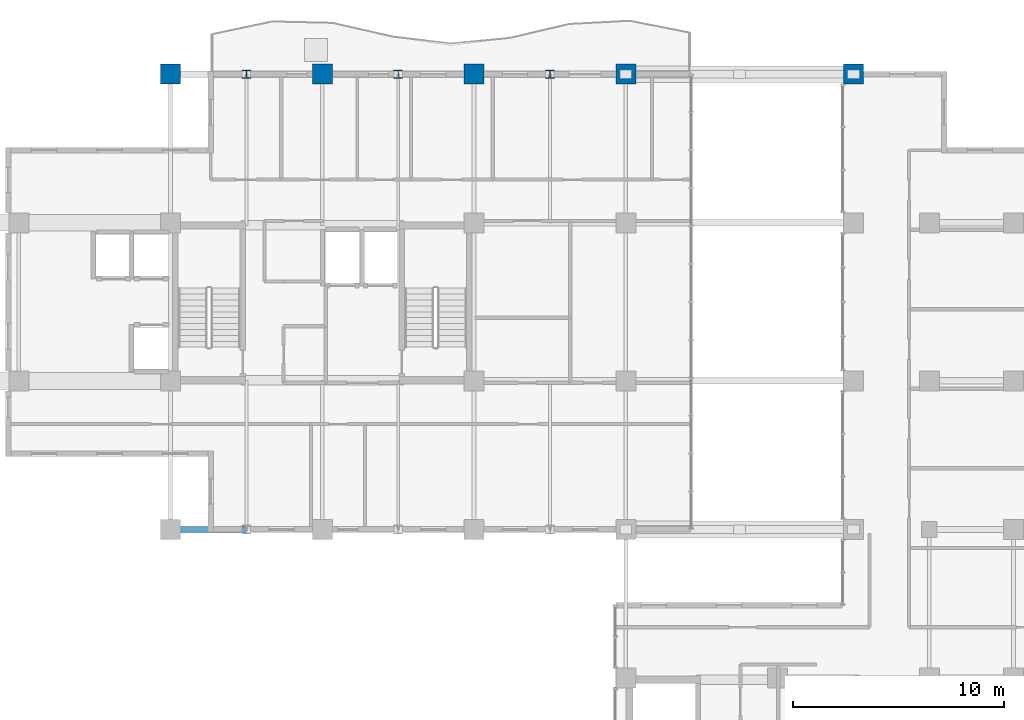
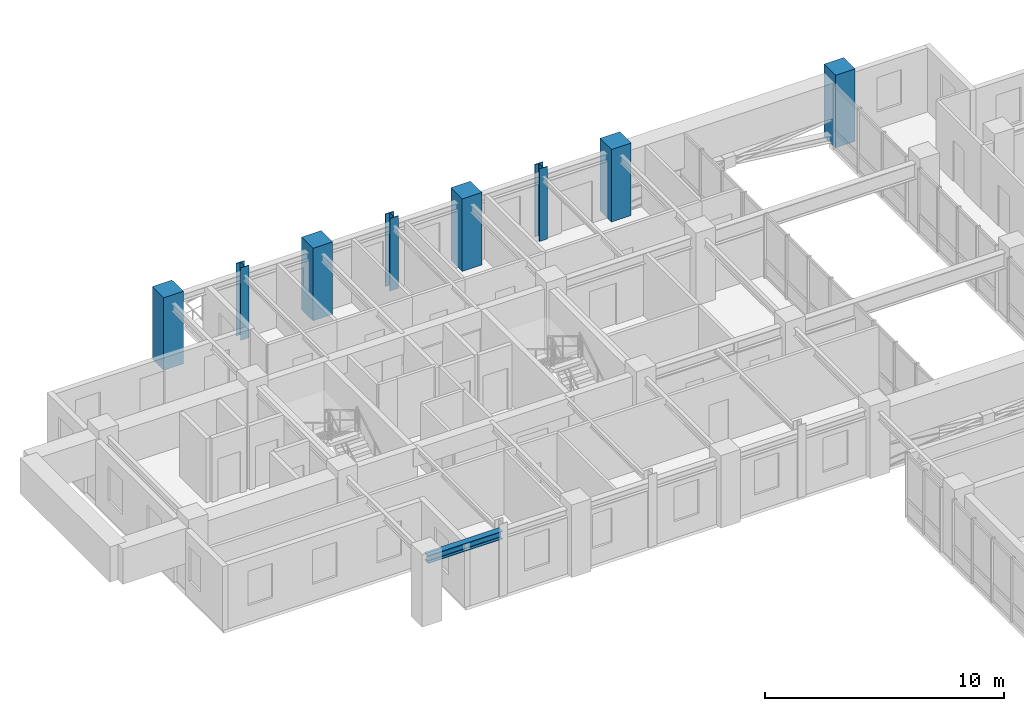
# One storey, part 3 of 23: 8 columns, 1 beam.
"""IFC4 building model written with IfcOpenShell, lengths in metres."""

from ifc_helpers import new_model, si_unit, direction, frame, origin, origin_2d, place, context, subcontext, project, spatial, rectangle, i_section, extrude, source, transform, mapped, material, material_profile, profile_set, type_object, element, save


model = new_model("IFC4")

# Units and contexts
model_context = context("Model", 3, precision=1e-05, world=origin(), true_north=direction((0.0, 1.0)))
body_context = subcontext(model_context, "Body", "Model", "MODEL_VIEW")
ifc_project = project(units=[si_unit("LENGTHUNIT", "METRE"), si_unit("AREAUNIT", "SQUARE_METRE"), si_unit("VOLUMEUNIT", "CUBIC_METRE"), si_unit("PLANEANGLEUNIT", "RADIAN"), si_unit("MASSUNIT", "GRAM", prefix="KILO")], contexts=[model_context])

# Site, building, storey
site_placement = place(None, origin())
site = spatial("IfcSite", under=ifc_project, at=site_placement, CompositionType="ELEMENT")
building_placement = place(site_placement, origin())
building = spatial("IfcBuilding", under=site, at=building_placement, Name="Kaliganga Portal Commons", CompositionType="ELEMENT")
storey_placement = place(building_placement, frame((0.0, 0.0, 246.199951171875)))
storey = spatial("IfcBuildingStorey", under=building, at=storey_placement, Name="L63", CompositionType="ELEMENT", Elevation=246.199951171875)

# Columns
ifc_material_1 = material(Name="Concrete C50/60", Category="concrete")
ifc_material_profile_1 = material_profile(ifc_material_1, rectangle(XDim=0.949951171875, YDim=0.949951171875, at=origin_2d()), Name="RC 950x950")
ifc_profile_set_1 = profile_set([ifc_material_profile_1], Name="Concrete C50/60")
column_type_1 = type_object("IfcColumnType", Name="COL-MEGA-Z4", PredefinedType="COLUMN", material=ifc_profile_set_1)
shared_shape_1 = source(origin(), body_context, "Body", "SweptSolid", [
    extrude(rectangle(XDim=0.949951171875, YDim=0.949951171875, at=origin_2d()), origin(), (0.0, 0.0, 1.0), 3.699951171875),
])
for number, where, z_axis, x_axis, name in (
    (1, (14.39990234375, 43.199951171875, 0.0), (0.0, 0.0, 1.0), (1.0, 0.0, 0.0), "Column MC-05 L63"),
    (2, (21.60009765625, 43.199951171875, 0.0), (0.0, 0.0, 1.0), (1.0, 0.0, 0.0), "Column MC-05 L63"),
    (3, (28.800048828125, 43.199951171875, 0.0), (0.0, 0.0, 1.0), (1.0, 0.0, 0.0), "Column MC-05 L63"),
    (4, (36.0, 43.199951171875, 0.0), (0.0, 0.0, 1.0), (1.0, 0.0, 0.0), "Column MC-05 L63"),
    (5, (46.800048828125, 43.199951171875, 0.0), (0.0, 0.0, 1.0), (1.0, 0.0, 0.0), "Column MC-05 L63"),
):
    element("IfcColumn", number, at=place(storey_placement, frame(where, z_axis=z_axis, x_axis=x_axis)), inside=storey, type_object=column_type_1, Name=name, PredefinedType="COLUMN", context=body_context, shape_type="MappedRepresentation", body=[
        mapped(shared_shape_1, transform((0.0, 0.0, 0.0), x_axis=(1.0, 0.0, 0.0), y_axis=(0.0, 1.0, 0.0), z_axis=(0.0, 0.0, 1.0), scale=1.0)),
    ])
ifc_material_2 = material(Name="Structural steel S355J2", Category="steel")
ifc_material_profile_2 = material_profile(ifc_material_2, i_section(OverallWidth=0.39892578125, OverallDepth=0.39990234375, WebThickness=0.017333984375, FlangeThickness=0.0234375, FilletRadius=0.014892578125, at=origin_2d()), Name="HD 400x287")
ifc_profile_set_2 = profile_set([ifc_material_profile_2], Name="Structural steel S355J2 wide-flange")
column_type_2 = type_object("IfcColumnType", Name="COL-TUBE-B4", PredefinedType="COLUMN", material=ifc_profile_set_2)
shared_shape_2 = source(origin(), body_context, "Body", "SweptSolid", [
    extrude(i_section(OverallWidth=0.39892578125, OverallDepth=0.39990234375, WebThickness=0.017333984375, FlangeThickness=0.0234375, FilletRadius=0.014892578125, at=origin_2d()), origin(), (0.0, 0.0, 1.0), 3.699951171875),
])
for number, where, z_axis, x_axis, name in (
    (6, (18.0, 43.199951171875, 0.0), (0.0, 0.0, 1.0), (1.0, 0.0, 0.0), "Column TC-04 L63"),
    (7, (25.199951171875, 43.199951171875, 0.0), (0.0, 0.0, 1.0), (1.0, 0.0, 0.0), "Column TC-04 L63"),
    (8, (32.39990234375, 43.199951171875, 0.0), (0.0, 0.0, 1.0), (1.0, 0.0, 0.0), "Column TC-04 L63"),
):
    element("IfcColumn", number, at=place(storey_placement, frame(where, z_axis=z_axis, x_axis=x_axis)), inside=storey, type_object=column_type_2, Name=name, PredefinedType="COLUMN", context=body_context, shape_type="MappedRepresentation", body=[
        mapped(shared_shape_2, transform((0.0, 0.0, 0.0), x_axis=(1.0, 0.0, 0.0), y_axis=(0.0, 1.0, 0.0), z_axis=(0.0, 0.0, 1.0), scale=1.0)),
    ])

# Beam
ifc_material_profile_3 = material_profile(ifc_material_2, i_section(OverallWidth=0.300048828125, OverallDepth=0.39990234375, WebThickness=0.013427734375, FlangeThickness=0.02392578125, FilletRadius=0.027099609375, at=origin_2d()), Name="HE 400 B")
ifc_profile_set_3 = profile_set([ifc_material_profile_3], Name="Structural steel S355J2 wide-flange")
beam_type = type_object("IfcBeamType", Name="BM-SPAND-400", PredefinedType="SPANDREL", material=ifc_profile_set_3)
shared_shape_3 = source(origin(), body_context, "Body", "SweptSolid", [
    extrude(i_section(OverallWidth=0.300048828125, OverallDepth=0.39990234375, WebThickness=0.013427734375, FlangeThickness=0.02392578125, FilletRadius=0.027099609375, at=origin_2d()), origin(), (0.0, 0.0, 1.0), 3.60009765625),
])
beam_placement = place(storey_placement, frame((14.39990234375, 21.60009765625, 3.080078125), z_axis=(1.0, 0.0, 0.0), x_axis=(0.0, 1.0, 0.0)))
element("IfcBeam", 9, at=beam_placement, inside=storey, type_object=beam_type, Name="BM SP L63 AS 1", PredefinedType="SPANDREL", context=body_context, shape_type="MappedRepresentation", body=[
    mapped(shared_shape_3, transform((0.0, 0.0, 0.0), x_axis=(1.0, 0.0, 0.0), y_axis=(0.0, 1.0, 0.0), z_axis=(0.0, 0.0, 1.0), scale=1.0)),
])

save(model, "model.ifc")
